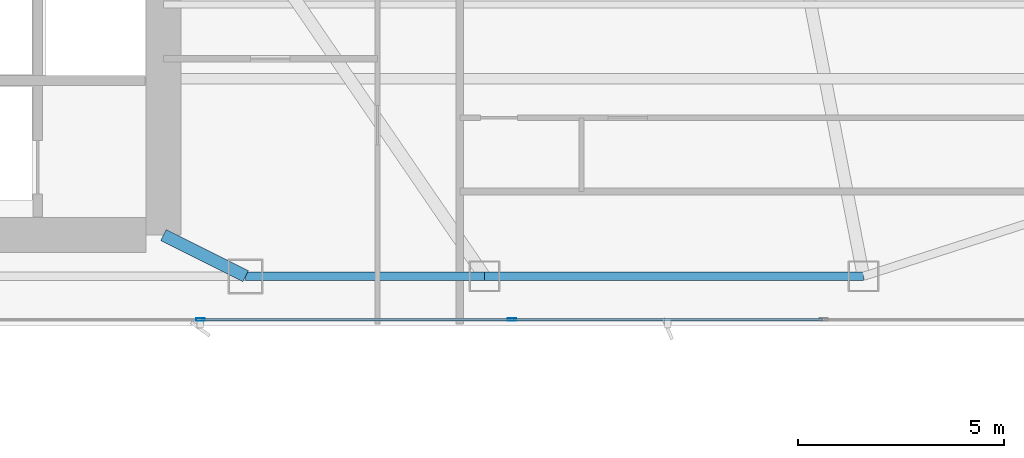
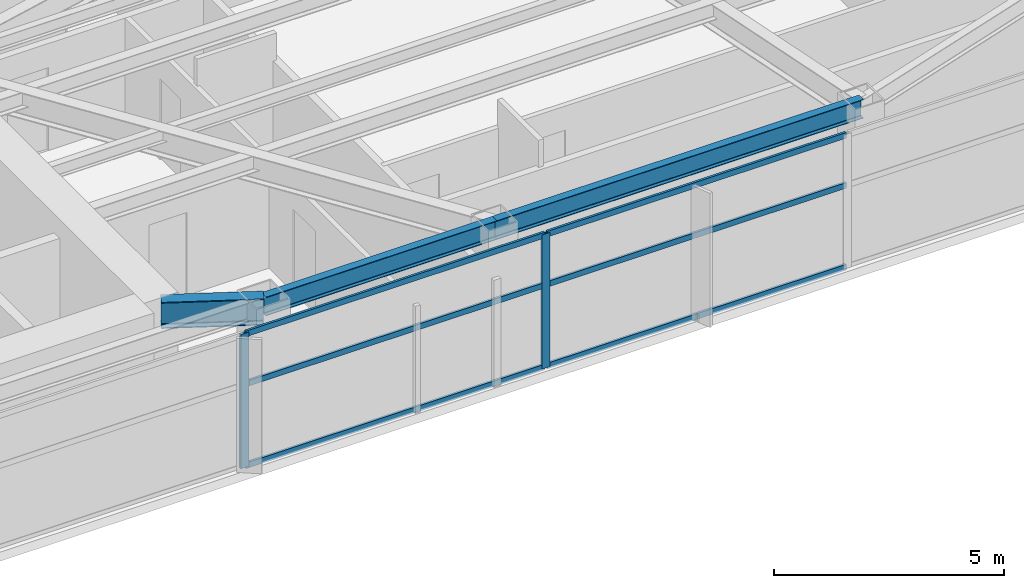
# One storey, part 12 of 28: 8 members, 3 beams, 1 element without a shape of its own.
"""IFC4 building model written with IfcOpenShell, lengths in metres."""

import ifcopenshell
import ifcopenshell.guid

model = None  # the IFC model being written
_history = None  # IfcOwnerHistory: only IFC2X3 demands one
_inside = {}  # id of a spatial element -> (the spatial element, [elements in it])
_under = {}  # id of a project, library or spatial element -> (it, [spatial elements below it])
_declared = {}  # id of a project -> (the project, [libraries it declares])
_typed = {}  # id of a type object -> (the type object, [elements of that type])
_made_of = {}  # id of a material, layer set ... -> (it, [elements and type objects made of it])


def new_model(schema):
    """Start an empty IFC model of exactly this schema.

    Asked for "IFC4X3", IfcOpenShell would pick the latest addendum, in which some entities
    have other attributes; the version numbers below select the first issue.
    IFC2X3 requires an IfcOwnerHistory on every rooted entity: one is made here for all.
    """
    global model, _history
    if schema == "IFC4X3":
        model = ifcopenshell.file(schema_version=(4, 3, 0, 0))
    else:
        model = ifcopenshell.file(schema=schema)
    _inside.clear()
    _under.clear()
    _declared.clear()
    _typed.clear()
    _made_of.clear()
    _history = None
    if model.schema == "IFC2X3":
        org = make("IfcOrganization", Name="unknown")
        user = make(
            "IfcPersonAndOrganization",
            ThePerson=make("IfcPerson", FamilyName="unknown"),
            TheOrganization=org,
        )
        app = make(
            "IfcApplication",
            ApplicationDeveloper=org,
            Version="unknown",
            ApplicationFullName="unknown",
            ApplicationIdentifier="unknown",
        )
        _history = make(
            "IfcOwnerHistory",
            OwningUser=user,
            OwningApplication=app,
            ChangeAction="ADDED",
            CreationDate=0,
        )
    return model


def make(cls, **values):
    """One entity of the class cls with the attributes given. An attribute that is None is left unset."""
    return model.create_entity(
        cls, **{name: value for name, value in values.items() if value is not None}
    )


def rooted(cls, **values):
    """An entity with a GlobalId (a new one), such as an element, a storey or a relation."""
    return make(cls, GlobalId=ifcopenshell.guid.new(), OwnerHistory=_history, **values)


def si_unit(unit_type, name, prefix=None):
    """IfcSIUnit, for example si_unit("LENGTHUNIT", "METRE", prefix="MILLI")."""
    return make("IfcSIUnit", UnitType=unit_type, Prefix=prefix, Name=name)


def assignment(units):
    """IfcUnitAssignment: the units of a project."""
    return None if units is None else make("IfcUnitAssignment", Units=units)


def point(xyz):
    """IfcCartesianPoint."""
    return None if xyz is None else make("IfcCartesianPoint", Coordinates=xyz)


def direction(xyz):
    """IfcDirection."""
    return None if xyz is None else make("IfcDirection", DirectionRatios=xyz)


def frame(location, z_axis=None, x_axis=None):
    """IfcAxis2Placement3D, a coordinate frame: its origin and axes. An axis left out is left unset."""
    return make(
        "IfcAxis2Placement3D",
        Location=point(location),
        Axis=direction(z_axis),
        RefDirection=direction(x_axis),
    )


def frame_2d(location, x_axis=None):
    """IfcAxis2Placement2D, a coordinate frame in the plane: its origin and x axis."""
    return make(
        "IfcAxis2Placement2D", Location=point(location), RefDirection=direction(x_axis)
    )


def origin():
    """The frame at (0, 0, 0) with its axes left unset."""
    return frame((0.0, 0.0, 0.0))


def origin_2d():
    """The frame at (0, 0) in the plane with its x axis left unset."""
    return frame_2d((0.0, 0.0))


def place(relative_to, where):
    """IfcLocalPlacement: puts the frame where relative to a parent placement (None: the world)."""
    return make(
        "IfcLocalPlacement", PlacementRelTo=relative_to, RelativePlacement=where
    )


def context(
    kind, dimensions, precision=None, world=None, true_north=None, identifier=None
):
    """IfcGeometricRepresentationContext, for example the 3D "Model" context."""
    return make(
        "IfcGeometricRepresentationContext",
        ContextIdentifier=identifier,
        ContextType=kind,
        CoordinateSpaceDimension=dimensions,
        Precision=precision,
        WorldCoordinateSystem=world,
        TrueNorth=true_north,
    )


def subcontext(parent, identifier, kind, view, scale=None):
    """IfcGeometricRepresentationSubContext, for example "Body" below "Model"."""
    return make(
        "IfcGeometricRepresentationSubContext",
        ContextIdentifier=identifier,
        ContextType=kind,
        ParentContext=parent,
        TargetScale=scale,
        TargetView=view,
    )


def project(units=None, contexts=None):
    """IfcProject with its units and contexts."""
    return rooted(
        "IfcProject",
        Name="project",
        RepresentationContexts=contexts,
        UnitsInContext=assignment(units),
    )


def spatial(cls, under=None, at=None, **own):
    """A site, building, storey or space (cls), placed at a placement, below another one or the project."""
    s = rooted(cls, ObjectPlacement=at, **own)
    if under is not None:
        _under.setdefault(under.id(), (under, []))[1].append(s)
    return s


def profile(cls, at=None, kind="AREA", **sizes):
    """A parametric profile (cls). Its sizes go by their IFC names, for example OverallWidth=200.0."""
    return make(cls, ProfileType=kind, Position=at, **sizes)


def hollow_rectangle(**sizes):
    """IfcRectangleHollowProfileDef."""
    return profile("IfcRectangleHollowProfileDef", **sizes)


def i_section(**sizes):
    """IfcIShapeProfileDef."""
    return profile("IfcIShapeProfileDef", **sizes)


def extrude(swept, where, along, depth):
    """IfcExtrudedAreaSolid: the profile swept, set in the frame where, extruded along a direction by depth."""
    return make(
        "IfcExtrudedAreaSolid",
        SweptArea=swept,
        Position=where,
        ExtrudedDirection=direction(along),
        Depth=depth,
    )


def shape(context_of_items, identifier, shape_type, items):
    """IfcShapeRepresentation: the items that make up one representation, for example the "Body"."""
    return make(
        "IfcShapeRepresentation",
        ContextOfItems=context_of_items,
        RepresentationIdentifier=identifier,
        RepresentationType=shape_type,
        Items=items,
    )


def material(Name=None, Category=None):
    """IfcMaterial."""
    return make("IfcMaterial", Name=Name, Category=Category)


def layer(
    of_material, thickness, ventilated=None, Name=None, Category=None, Priority=None
):
    """IfcMaterialLayer: one layer of a wall or slab, of a material (None: an air gap)."""
    return make(
        "IfcMaterialLayer",
        Material=of_material,
        LayerThickness=thickness,
        IsVentilated=ventilated,
        Name=Name,
        Category=Category,
        Priority=Priority,
    )


def layer_set(layers, Name=None):
    """IfcMaterialLayerSet."""
    return make("IfcMaterialLayerSet", MaterialLayers=layers, LayerSetName=Name)


def material_profile(
    of_material, cross_section, Name=None, Category=None, Priority=None
):
    """IfcMaterialProfile: a cross section and its material."""
    return make(
        "IfcMaterialProfile",
        Name=Name,
        Material=of_material,
        Profile=cross_section,
        Priority=Priority,
        Category=Category,
    )


def profile_set(profiles, Name=None, composite=None):
    """IfcMaterialProfileSet."""
    return make(
        "IfcMaterialProfileSet",
        Name=Name,
        MaterialProfiles=profiles,
        CompositeProfile=composite,
    )


def made_of(thing, what):
    """Note that an element or type object is made of a material, layer set ...; save() writes the relation."""
    if what is not None:
        _made_of.setdefault(what.id(), (what, []))[1].append(thing)
    return thing


def type_object(cls, material=None, **own):
    """A type object (cls), such as IfcWallType, which elements share."""
    return made_of(rooted(cls, **own), material)


def element(
    cls,
    number,
    at=None,
    inside=None,
    cuts=None,
    type_object=None,
    material=None,
    context=None,
    identifier="Body",
    shape_type=None,
    held_by="IfcProductDefinitionShape",
    body=None,
    shapes=None,
    **own,
):
    """One element of the class cls, such as IfcWall. Its Tag is "e" and its number.

    at: its placement. inside: the storey or other place that contains it. cuts: it is an
    opening in that element (IfcRelVoidsElement). A single representation is given by context,
    identifier, shape_type and body (its items); several are given by shapes. held_by: the class
    of the entity that holds the representations. save() writes the other relations.
    """
    e = rooted(cls, Tag="e%d" % number, ObjectPlacement=at, **own)
    if body is not None:
        shapes = [shape(context, identifier, shape_type, body)]
    if shapes is not None:
        e.Representation = make(held_by, Representations=shapes)
    if inside is not None:
        _inside.setdefault(inside.id(), (inside, []))[1].append(e)
    if cuts is not None:
        rooted(
            "IfcRelVoidsElement", RelatingBuildingElement=cuts, RelatedOpeningElement=e
        )
    if type_object is not None:
        _typed.setdefault(type_object.id(), (type_object, []))[1].append(e)
    return made_of(e, material)


def aggregate(whole, parts):
    """IfcRelAggregates: a whole, such as a stair, and the parts it consists of."""
    return rooted("IfcRelAggregates", RelatingObject=whole, RelatedObjects=parts)


def save(model, path):
    """Write the relations noted so far, then the file.

    IfcRelAggregates (storeys below a building ...), IfcRelContainedInSpatialStructure (elements
    in a storey), IfcRelDefinesByType, IfcRelAssociatesMaterial and IfcRelDeclares: one each for
    every whole, place, type object, material and project.
    """
    for whole, parts in _under.values():
        aggregate(whole, parts)
    for where, things in _inside.values():
        rooted(
            "IfcRelContainedInSpatialStructure",
            RelatedElements=things,
            RelatingStructure=where,
        )
    for kind, things in _typed.values():
        rooted("IfcRelDefinesByType", RelatedObjects=things, RelatingType=kind)
    for what, things in _made_of.values():
        rooted("IfcRelAssociatesMaterial", RelatedObjects=things, RelatingMaterial=what)
    for by, libraries in _declared.values():
        rooted("IfcRelDeclares", RelatingContext=by, RelatedDefinitions=libraries)
    model.write(path)


model = new_model("IFC4")

# Units and contexts
model_context = context("Model", 3, precision=1e-05, world=origin(), true_north=direction((0.0, 1.0)))
body_context = subcontext(model_context, "Body", "Model", "MODEL_VIEW")
ifc_project = project(units=[si_unit("LENGTHUNIT", "METRE"), si_unit("AREAUNIT", "SQUARE_METRE"), si_unit("VOLUMEUNIT", "CUBIC_METRE"), si_unit("PLANEANGLEUNIT", "RADIAN"), si_unit("MASSUNIT", "GRAM", prefix="KILO")], contexts=[model_context])

# Site, building, storey
site_placement = place(None, origin())
site = spatial("IfcSite", under=ifc_project, at=site_placement, CompositionType="ELEMENT")
building_placement = place(site_placement, origin())
building = spatial("IfcBuilding", under=site, at=building_placement, Name="Calvorn Quay Hotel", CompositionType="ELEMENT")
storey_placement = place(building_placement, frame((0.0, 0.0, 116.39990234375)))
storey = spatial("IfcBuildingStorey", under=building, at=storey_placement, Name="L28", CompositionType="ELEMENT", Elevation=116.39990234375)

# Beams
ifc_material_1 = material(Name="Steel Q390GJC", Category="steel")
ifc_material_profile_1 = material_profile(ifc_material_1, i_section(OverallWidth=0.300048828125, OverallDepth=0.699951171875, WebThickness=0.012939453125, FlangeThickness=0.02392578125, FilletRadius=0.02392578125, at=origin_2d()), Name="HN700x300x13x24")
ifc_profile_set_1 = profile_set([ifc_material_profile_1], Name="Steel Q390GJC")
beam_type_1 = type_object("IfcBeamType", Name="BM-GIRD-MAIN", PredefinedType="BEAM", material=ifc_profile_set_1)
beam_1_placement = place(storey_placement, frame((34.39990234375, 3.60009765625, 3.190185546875), z_axis=(-0.894427191, 0.4472135955, 0.0), x_axis=(-0.4472135955, -0.894427191, 0.0)))
element("IfcBeam", 1, at=beam_1_placement, inside=storey, type_object=beam_type_1, Name="Beam BG-L28-S3", PredefinedType="BEAM", context=body_context, shape_type="SweptSolid", body=[
    extrude(i_section(OverallWidth=0.300048828125, OverallDepth=0.699951171875, WebThickness=0.012939453125, FlangeThickness=0.02392578125, FilletRadius=0.02392578125, at=origin_2d()), origin(), (0.0, 0.0, 1.0), 2.236083984375),
])
ifc_material_2 = material(Name="Steel Q355B", Category="steel")
ifc_material_profile_2 = material_profile(ifc_material_2, i_section(OverallWidth=0.199951171875, OverallDepth=0.5, WebThickness=0.010009765625, FlangeThickness=0.01611328125, FilletRadius=0.01611328125, at=origin_2d()), Name="HN500x200x10x16")
ifc_profile_set_2 = profile_set([ifc_material_profile_2], Name="Steel Q355B")
beam_type_2 = type_object("IfcBeamType", Name="BM-SPANDREL-Z1", PredefinedType="SPANDREL", material=ifc_profile_set_2)
beam_2_placement = place(storey_placement, frame((34.39990234375, 3.60009765625, 3.2900390625), z_axis=(1.0, 0.0, 0.0), x_axis=(0.0, 1.0, 0.0)))
element("IfcBeam", 2, at=beam_2_placement, inside=storey, type_object=beam_type_2, Name="Beam BSP-L28-S4", PredefinedType="SPANDREL", context=body_context, shape_type="SweptSolid", body=[
    extrude(i_section(OverallWidth=0.199951171875, OverallDepth=0.5, WebThickness=0.010009765625, FlangeThickness=0.01611328125, FilletRadius=0.01611328125, at=origin_2d()), origin(), (0.0, 0.0, 1.0), 5.800048828125),
])
beam_3_placement = place(storey_placement, frame((40.199951171875, 3.60009765625, 3.2900390625), z_axis=(1.0, 0.0, 0.0), x_axis=(0.0, 1.0, 0.0)))
element("IfcBeam", 3, at=beam_3_placement, inside=storey, type_object=beam_type_2, Name="Beam BSP-L28-S5", PredefinedType="SPANDREL", context=body_context, shape_type="SweptSolid", body=[
    extrude(i_section(OverallWidth=0.199951171875, OverallDepth=0.5, WebThickness=0.010009765625, FlangeThickness=0.01611328125, FilletRadius=0.01611328125, at=origin_2d()), origin(), (0.0, 0.0, 1.0), 9.199951171875),
])

# Curtain wall, members
ifc_material_3 = material(Name="Pale Anodised Aluminium and Low-E Glass", Category="aluminium")
ifc_layer = layer(ifc_material_3, 0.219970703125)
ifc_layer_set = layer_set([ifc_layer], Name="CW-SYS-Z2")
curtain_wall_type = type_object("IfcCurtainWallType", Name="CW-SYS-Z2", PredefinedType="NOTDEFINED", material=ifc_layer_set)
curtain_wall_placement = place(storey_placement, origin())
curtain_wall = element("IfcCurtainWall", 4, at=curtain_wall_placement, inside=storey, type_object=curtain_wall_type, Name="Tower South Waterfront Curtain Wall (L28)", PredefinedType="NOTDEFINED")
ifc_material_4 = material(Name="Pale Anodised Aluminium 6063-T6", Category="aluminium")
ifc_material_profile_3 = material_profile(ifc_material_4, hollow_rectangle(XDim=0.070068359375, YDim=0.199951171875, WallThickness=0.00390625, at=origin_2d()), Name="ALU-M200x70x4")
ifc_profile_set_3 = profile_set([ifc_material_profile_3], Name="Pale Anodised Aluminium 6063-T6")
member_type_1 = type_object("IfcMemberType", Name="CW-SYS-Z2-MUL", PredefinedType="MULLION", material=ifc_profile_set_3)
member_1_placement = place(storey_placement, frame((33.300048828125, 2.550048828125, 0.0), z_axis=(0.0, 0.0, 1.0), x_axis=(0.0, 1.0, 0.0)))
member_1 = element("IfcMember", 5, at=member_1_placement, type_object=member_type_1, Name="CW-L28-S mullion 4", PredefinedType="MULLION", context=body_context, shape_type="SweptSolid", body=[
    extrude(hollow_rectangle(XDim=0.070068359375, YDim=0.199951171875, WallThickness=0.00390625, at=origin_2d()), origin(), (0.0, 0.0, 1.0), 3.56005859375),
])
member_2_placement = place(storey_placement, frame((40.86669921875, 2.550048828125, 0.0), z_axis=(0.0, 0.0, 1.0), x_axis=(0.0, 1.0, 0.0)))
member_2 = element("IfcMember", 6, at=member_2_placement, type_object=member_type_1, Name="CW-L28-S mullion 5", PredefinedType="MULLION", context=body_context, shape_type="SweptSolid", body=[
    extrude(hollow_rectangle(XDim=0.070068359375, YDim=0.199951171875, WallThickness=0.00390625, at=origin_2d()), origin(), (0.0, 0.0, 1.0), 3.56005859375),
])
ifc_material_5 = material(Name="Pale Anodised Aluminium 6063-T6", Category="aluminium")
ifc_material_profile_4 = material_profile(ifc_material_5, hollow_rectangle(XDim=0.06005859375, YDim=0.14990234375, WallThickness=0.00341796875, at=origin_2d()), Name="ALU-T150x60x3.5")
ifc_profile_set_4 = profile_set([ifc_material_profile_4], Name="Pale Anodised Aluminium 6063-T6")
member_type_2 = type_object("IfcMemberType", Name="CW-SYS-Z2-TRN", PredefinedType="USERDEFINED", material=ifc_profile_set_4)
member_3_placement = place(storey_placement, frame((33.330078125, 2.550048828125, 0.030029296875), z_axis=(1.0, 0.0, 0.0), x_axis=(0.0, 1.0, 0.0)))
member_3 = element("IfcMember", 7, at=member_3_placement, type_object=member_type_2, Name="CW-L28-S transom 4.1", ObjectType="TRANSOM", PredefinedType="USERDEFINED", context=body_context, shape_type="SweptSolid", body=[
    extrude(hollow_rectangle(XDim=0.06005859375, YDim=0.14990234375, WallThickness=0.00341796875, at=origin_2d()), origin(), (0.0, 0.0, 1.0), 7.506591796875),
])
member_4_placement = place(storey_placement, frame((33.330078125, 2.550048828125, 2.2001953125), z_axis=(1.0, 0.0, 0.0), x_axis=(0.0, 1.0, 0.0)))
member_4 = element("IfcMember", 8, at=member_4_placement, type_object=member_type_2, Name="CW-L28-S transom 4.2", ObjectType="TRANSOM", PredefinedType="USERDEFINED", context=body_context, shape_type="SweptSolid", body=[
    extrude(hollow_rectangle(XDim=0.06005859375, YDim=0.14990234375, WallThickness=0.00341796875, at=origin_2d()), origin(), (0.0, 0.0, 1.0), 7.506591796875),
])
member_5_placement = place(storey_placement, frame((33.330078125, 2.550048828125, 3.530029296875), z_axis=(1.0, 0.0, 0.0), x_axis=(0.0, 1.0, 0.0)))
member_5 = element("IfcMember", 9, at=member_5_placement, type_object=member_type_2, Name="CW-L28-S transom 4.3", ObjectType="TRANSOM", PredefinedType="USERDEFINED", context=body_context, shape_type="SweptSolid", body=[
    extrude(hollow_rectangle(XDim=0.06005859375, YDim=0.14990234375, WallThickness=0.00341796875, at=origin_2d()), origin(), (0.0, 0.0, 1.0), 7.506591796875),
])
member_6_placement = place(storey_placement, frame((40.896728515625, 2.550048828125, 0.030029296875), z_axis=(1.0, 0.0, 0.0), x_axis=(0.0, 1.0, 0.0)))
member_6 = element("IfcMember", 10, at=member_6_placement, type_object=member_type_2, Name="CW-L28-S transom 5.1", ObjectType="TRANSOM", PredefinedType="USERDEFINED", context=body_context, shape_type="SweptSolid", body=[
    extrude(hollow_rectangle(XDim=0.06005859375, YDim=0.14990234375, WallThickness=0.00341796875, at=origin_2d()), origin(), (0.0, 0.0, 1.0), 7.506591796875),
])
member_7_placement = place(storey_placement, frame((40.896728515625, 2.550048828125, 2.2001953125), z_axis=(1.0, 0.0, 0.0), x_axis=(0.0, 1.0, 0.0)))
member_7 = element("IfcMember", 11, at=member_7_placement, type_object=member_type_2, Name="CW-L28-S transom 5.2", ObjectType="TRANSOM", PredefinedType="USERDEFINED", context=body_context, shape_type="SweptSolid", body=[
    extrude(hollow_rectangle(XDim=0.06005859375, YDim=0.14990234375, WallThickness=0.00341796875, at=origin_2d()), origin(), (0.0, 0.0, 1.0), 7.506591796875),
])
member_8_placement = place(storey_placement, frame((40.896728515625, 2.550048828125, 3.530029296875), z_axis=(1.0, 0.0, 0.0), x_axis=(0.0, 1.0, 0.0)))
member_8 = element("IfcMember", 12, at=member_8_placement, type_object=member_type_2, Name="CW-L28-S transom 5.3", ObjectType="TRANSOM", PredefinedType="USERDEFINED", context=body_context, shape_type="SweptSolid", body=[
    extrude(hollow_rectangle(XDim=0.06005859375, YDim=0.14990234375, WallThickness=0.00341796875, at=origin_2d()), origin(), (0.0, 0.0, 1.0), 7.506591796875),
])
aggregate(curtain_wall, [member_1, member_2, member_3, member_4, member_5, member_6, member_7, member_8])

save(model, "model.ifc")
